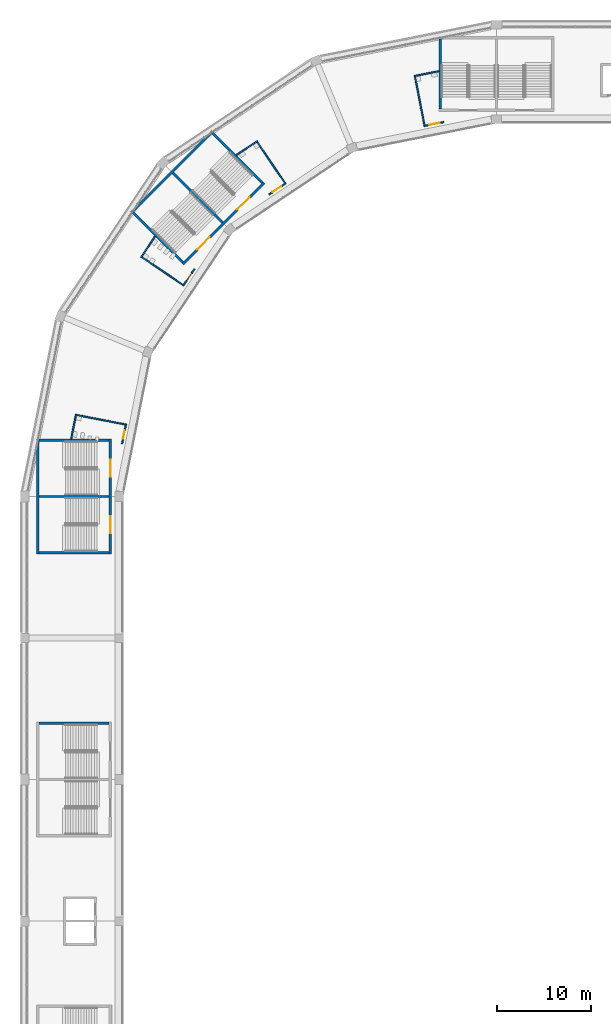
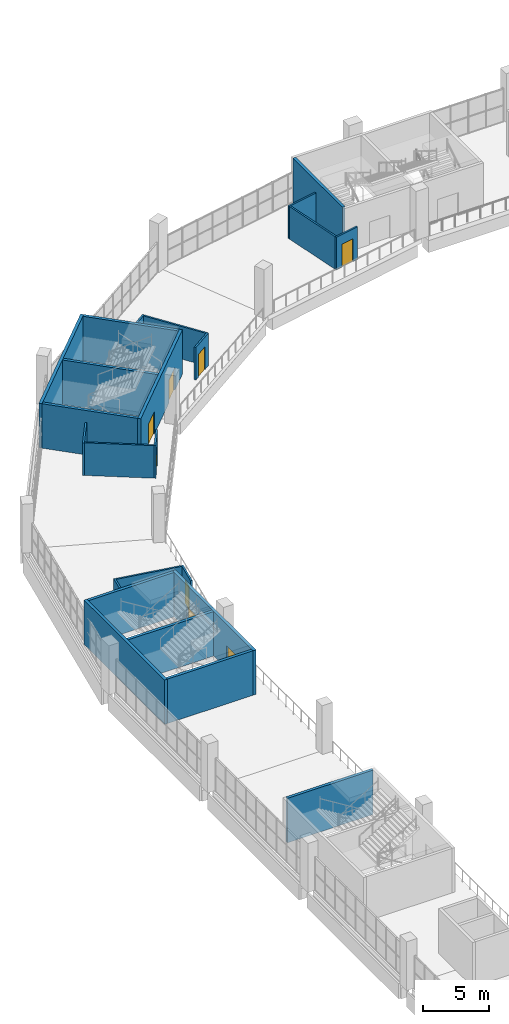
# One storey, part 66 of 177: 24 walls, 8 doors, 8 openings.
"""IFC4 building model written with IfcOpenShell, lengths in metres."""

from ifc_helpers import new_model, si_unit, direction, frame, frame_2d, origin, place, context, subcontext, project, spatial, rectangle, extrude, material, layer, layer_set, type_object, element, fill, save


model = new_model("IFC4")

# Units and contexts
model_context = context("Model", 3, precision=1e-05, world=origin(), true_north=direction((0.0, 1.0)))
body_context = subcontext(model_context, "Body", "Model", "MODEL_VIEW")
ifc_project = project(units=[si_unit("LENGTHUNIT", "METRE"), si_unit("AREAUNIT", "SQUARE_METRE"), si_unit("VOLUMEUNIT", "CUBIC_METRE"), si_unit("PLANEANGLEUNIT", "RADIAN"), si_unit("MASSUNIT", "GRAM", prefix="KILO")], contexts=[model_context])

# Site, building, storey
site_placement = place(None, origin())
site = spatial("IfcSite", under=ifc_project, at=site_placement, CompositionType="ELEMENT")
building_placement = place(site_placement, origin())
building = spatial("IfcBuilding", under=site, at=building_placement, Name="Ogive Plaza Stadium", CompositionType="ELEMENT")
storey_placement = place(building_placement, frame((0.0, 0.0, 18.0)))
storey = spatial("IfcBuildingStorey", under=building, at=storey_placement, Name="L04", CompositionType="ELEMENT", Elevation=18.0)

# Wall
ifc_material_1 = material(Name="Concrete C40/50", Category="concrete")
ifc_layer_1 = layer(ifc_material_1, 0.25)
ifc_layer_set_1 = layer_set([ifc_layer_1], Name="Concrete C40/50")
wall_type_1 = type_object("IfcWallType", Name="Core wall 250", PredefinedType="SHEAR", material=ifc_layer_set_1)
wall_1_placement = place(storey_placement, frame((-75.050048828125, 28.449951171875, 0.0), z_axis=(0.0, 0.0, 1.0), x_axis=(-1.0, 0.0, 0.0)))
element("IfcWall", 1, at=wall_1_placement, inside=storey, type_object=wall_type_1, Name="Stair core R26 side wall", PredefinedType="SHEAR", context=body_context, shape_type="SweptSolid", body=[
    extrude(rectangle(XDim=7.4599609375, YDim=0.25, at=frame_2d((3.72998046875, 0.0))), origin(), (0.0, 0.0, 1.0), 4.090087890625),
])

# Wall, openings, doors
wall_2_placement = place(storey_placement, frame((-74.925048828125, 58.574951171875, 0.0), z_axis=(0.0, 0.0, 1.0), x_axis=(0.0, -1.0, 0.0)))
wall_2 = element("IfcWall", 2, at=wall_2_placement, inside=storey, type_object=wall_type_1, Name="Stair core R28 inner wall", PredefinedType="SHEAR", context=body_context, shape_type="SweptSolid", body=[
    extrude(rectangle(XDim=12.14990234375, YDim=0.25, at=frame_2d((6.074951171875, 0.0))), origin(), (0.0, 0.0, 1.0), 4.090087890625),
])
opening_1_placement = place(wall_2_placement, frame((2.199951171875, 0.0, 0.0)))
opening_1 = element("IfcOpeningElement", 3, at=opening_1_placement, cuts=wall_2, Name="Opening D0217", PredefinedType="OPENING", context=body_context, shape_type="SweptSolid", body=[
    extrude(rectangle(XDim=1.800048828125, YDim=2.10009765625, at=frame_2d((0.89990234375, 1.050048828125))), frame((0.0, 0.125, 0.0), z_axis=(0.0, -1.0, 0.0), x_axis=(1.0, 0.0, 0.0)), (0.0, 0.0, 1.0), 0.25),
])
opening_2_placement = place(wall_2_placement, frame((8.14990234375, 0.0, 0.0)))
opening_2 = element("IfcOpeningElement", 4, at=opening_2_placement, cuts=wall_2, Name="Opening D0218", PredefinedType="OPENING", context=body_context, shape_type="SweptSolid", body=[
    extrude(rectangle(XDim=1.800048828125, YDim=2.10009765625, at=frame_2d((0.89990234375, 1.050048828125))), frame((0.0, 0.125, 0.0), z_axis=(0.0, -1.0, 0.0), x_axis=(1.0, 0.0, 0.0)), (0.0, 0.0, 1.0), 0.25),
])
ifc_material_2 = material(Name="Steel ASTM A572 Grade 50", Category="steel")
door_type_1 = type_object("IfcDoorType", Name="Fire door FD90 pair 1800 x 2100", OperationType="DOUBLE_DOOR_SINGLE_SWING", PredefinedType="DOOR", material=ifc_material_2)
door_1_placement = place(opening_1_placement, origin())
door_1 = element("IfcDoor", 5, at=door_1_placement, inside=storey, type_object=door_type_1, Name="Exit stair R28A door L04", OperationType="DOUBLE_DOOR_SINGLE_SWING", OverallHeight=2.10009765625, OverallWidth=1.800048828125, PredefinedType="DOOR", context=body_context, shape_type="SweptSolid", body=[
    extrude(rectangle(XDim=1.800048828125, YDim=2.10009765625, at=frame_2d((0.89990234375, 1.050048828125))), frame((0.0, 0.02490234375, 0.0), z_axis=(0.0, -1.0, 0.0), x_axis=(1.0, 0.0, 0.0)), (0.0, 0.0, 1.0), 0.050048828125),
])
fill(opening_1, door_1)
door_2_placement = place(opening_2_placement, origin())
door_2 = element("IfcDoor", 6, at=door_2_placement, inside=storey, type_object=door_type_1, Name="Exit stair R28B door L04", OperationType="DOUBLE_DOOR_SINGLE_SWING", OverallHeight=2.10009765625, OverallWidth=1.800048828125, PredefinedType="DOOR", context=body_context, shape_type="SweptSolid", body=[
    extrude(rectangle(XDim=1.800048828125, YDim=2.10009765625, at=frame_2d((0.89990234375, 1.050048828125))), frame((0.0, 0.02490234375, 0.0), z_axis=(0.0, -1.0, 0.0), x_axis=(1.0, 0.0, 0.0)), (0.0, 0.0, 1.0), 0.050048828125),
])
fill(opening_2, door_2)

# Walls
wall_3_placement = place(storey_placement, frame((-82.635009765625, 58.574951171875, 0.0), z_axis=(0.0, 0.0, 1.0), x_axis=(0.0, -1.0, 0.0)))
element("IfcWall", 7, at=wall_3_placement, inside=storey, type_object=wall_type_1, Name="Stair core R28 outer wall", PredefinedType="SHEAR", context=body_context, shape_type="SweptSolid", body=[
    extrude(rectangle(XDim=12.14990234375, YDim=0.25, at=frame_2d((6.074951171875, 0.0))), origin(), (0.0, 0.0, 1.0), 4.090087890625),
])
for number, where, z_axis, x_axis, name in (
    (8, (-75.050048828125, 58.449951171875, 0.0), (0.0, 0.0, 1.0), (-1.0, 0.0, 0.0), "Stair core R28 side wall"),
    (9, (-75.050048828125, 46.550048828125, 0.0), (0.0, 0.0, 1.0), (-1.0, 0.0, 0.0), "Stair core R28 side wall"),
    (10, (-75.050048828125, 52.5, 0.0), (0.0, 0.0, 1.0), (-1.0, 0.0, 0.0), "Stair core R28 centre wall"),
):
    element("IfcWall", number, at=place(storey_placement, frame(where, z_axis=z_axis, x_axis=x_axis)), inside=storey, type_object=wall_type_1, Name=name, PredefinedType="SHEAR", context=body_context, shape_type="SweptSolid", body=[
        extrude(rectangle(XDim=7.4599609375, YDim=0.25, at=frame_2d((3.72998046875, 0.0))), origin(), (0.0, 0.0, 1.0), 4.090087890625),
    ])

# Wall, openings, doors
wall_4_placement = place(storey_placement, frame((-58.642578125, 85.734130859375, 0.0), z_axis=(0.0, 0.0, 1.0), x_axis=(-0.707106781187, -0.707106781187, 0.0)))
wall_4 = element("IfcWall", 11, at=wall_4_placement, inside=storey, type_object=wall_type_1, Name="Stair core R30 inner wall", PredefinedType="SHEAR", context=body_context, shape_type="SweptSolid", body=[
    extrude(rectangle(XDim=12.150390625, YDim=0.25, at=frame_2d((6.0751953125, 0.0))), origin(), (0.0, 0.0, 1.0), 4.090087890625),
])
opening_3_placement = place(wall_4_placement, frame((2.199951171875, 0.0, 0.0)))
opening_3 = element("IfcOpeningElement", 12, at=opening_3_placement, cuts=wall_4, Name="Opening D0229", PredefinedType="OPENING", context=body_context, shape_type="SweptSolid", body=[
    extrude(rectangle(XDim=1.800048828125, YDim=2.10009765625, at=frame_2d((0.89990234375, 1.050048828125))), frame((0.0, 0.125, 0.0), z_axis=(0.0, -1.0, 0.0), x_axis=(1.0, 0.0, 0.0)), (0.0, 0.0, 1.0), 0.25),
])
opening_4_placement = place(wall_4_placement, frame((8.14990234375, 0.0, 0.0)))
opening_4 = element("IfcOpeningElement", 13, at=opening_4_placement, cuts=wall_4, Name="Opening D0230", PredefinedType="OPENING", context=body_context, shape_type="SweptSolid", body=[
    extrude(rectangle(XDim=1.800048828125, YDim=2.10009765625, at=frame_2d((0.89990234375, 1.050048828125))), frame((0.0, 0.125, 0.0), z_axis=(0.0, -1.0, 0.0), x_axis=(1.0, 0.0, 0.0)), (0.0, 0.0, 1.0), 0.25),
])
door_3_placement = place(opening_3_placement, origin())
door_3 = element("IfcDoor", 14, at=door_3_placement, inside=storey, type_object=door_type_1, Name="Exit stair R30A door L04", OperationType="DOUBLE_DOOR_SINGLE_SWING", OverallHeight=2.10009765625, OverallWidth=1.800048828125, PredefinedType="DOOR", context=body_context, shape_type="SweptSolid", body=[
    extrude(rectangle(XDim=1.800048828125, YDim=2.10009765625, at=frame_2d((0.89990234375, 1.050048828125))), frame((0.0, 0.02490234375, 0.0), z_axis=(0.0, -1.0, 0.0), x_axis=(1.0, 0.0, 0.0)), (0.0, 0.0, 1.0), 0.050048828125),
])
fill(opening_3, door_3)
door_4_placement = place(opening_4_placement, origin())
door_4 = element("IfcDoor", 15, at=door_4_placement, inside=storey, type_object=door_type_1, Name="Exit stair R30B door L04", OperationType="DOUBLE_DOOR_SINGLE_SWING", OverallHeight=2.10009765625, OverallWidth=1.800048828125, PredefinedType="DOOR", context=body_context, shape_type="SweptSolid", body=[
    extrude(rectangle(XDim=1.800048828125, YDim=2.10009765625, at=frame_2d((0.89990234375, 1.050048828125))), frame((0.0, 0.02490234375, 0.0), z_axis=(0.0, -1.0, 0.0), x_axis=(1.0, 0.0, 0.0)), (0.0, 0.0, 1.0), 0.050048828125),
])
fill(opening_4, door_4)

# Walls
wall_5_placement = place(storey_placement, frame((-64.094482421875, 91.185791015625, 0.0), z_axis=(0.0, 0.0, 1.0), x_axis=(-0.707106781187, -0.707106781187, 0.0)))
element("IfcWall", 16, at=wall_5_placement, inside=storey, type_object=wall_type_1, Name="Stair core R30 outer wall", PredefinedType="SHEAR", context=body_context, shape_type="SweptSolid", body=[
    extrude(rectangle(XDim=12.14990234375, YDim=0.25, at=frame_2d((6.074951171875, 0.0))), origin(), (0.0, 0.0, 1.0), 4.090087890625),
])
for number, where, z_axis, x_axis, name in (
    (17, (-58.8193359375, 85.734130859375, 0.0), (0.0, 0.0, 1.0), (-0.707123144286, 0.707090417709, 0.0), "Stair core R30 side wall"),
    (18, (-67.234130859375, 77.3193359375, 0.0), (0.0, 0.0, 1.0), (-0.707090417709, 0.707123144286, 0.0), "Stair core R30 side wall"),
):
    element("IfcWall", number, at=place(storey_placement, frame(where, z_axis=z_axis, x_axis=x_axis)), inside=storey, type_object=wall_type_1, Name=name, PredefinedType="SHEAR", context=body_context, shape_type="SweptSolid", body=[
        extrude(rectangle(XDim=7.4599609375, YDim=0.25, at=frame_2d((3.72998046875, 0.0))), origin(), (0.0, 0.0, 1.0), 4.090087890625),
    ])
wall_6_placement = place(storey_placement, frame((-63.026611328125, 81.526611328125, 0.0), z_axis=(0.0, 0.0, 1.0), x_axis=(-0.707106781187, 0.707106781187, 0.0)))
element("IfcWall", 19, at=wall_6_placement, inside=storey, type_object=wall_type_1, Name="Stair core R30 centre wall", PredefinedType="SHEAR", context=body_context, shape_type="SweptSolid", body=[
    extrude(rectangle(XDim=7.460205078125, YDim=0.25, at=frame_2d((3.72998046875, 0.0))), origin(), (0.0, 0.0, 1.0), 4.090087890625),
])
wall_7_placement = place(storey_placement, frame((-39.949951171875, 93.550048828125, 0.0), z_axis=(0.0, 0.0, 1.0), x_axis=(0.0, 1.0, 0.0)))
element("IfcWall", 20, at=wall_7_placement, inside=storey, type_object=wall_type_1, Name="Stair core R32 side wall", PredefinedType="SHEAR", context=body_context, shape_type="SweptSolid", body=[
    extrude(rectangle(XDim=7.4599609375, YDim=0.25, at=frame_2d((3.72998046875, 0.0))), origin(), (0.0, 0.0, 1.0), 4.090087890625),
])

# Wall, opening, door
ifc_material_3 = material(Name="Gypsum board partition", Category="gypsum")
ifc_layer_2 = layer(ifc_material_3, 0.14990234375)
ifc_layer_set_2 = layer_set([ifc_layer_2], Name="Partition 150")
wall_type_2 = type_object("IfcWallType", Name="Partition 150", PredefinedType="PARTITIONING", material=ifc_layer_set_2)
wall_8_placement = place(storey_placement, frame((-73.689697265625, 58.08203125, 0.0), z_axis=(0.0, 0.0, 1.0), x_axis=(0.195134256702, 0.980776540228, 0.0)))
wall_8 = element("IfcWall", 21, at=wall_8_placement, inside=storey, type_object=wall_type_2, Name="Wall L04 B28", PredefinedType="PARTITIONING", context=body_context, shape_type="SweptSolid", body=[
    extrude(rectangle(XDim=2.15185546875, YDim=0.14990234375, at=frame_2d((1.075927734375, 0.0))), origin(), (0.0, 0.0, 1.0), 3.0),
])
opening_5_placement = place(wall_8_placement, frame((0.5556640625, 0.0, 0.0)))
opening_5 = element("IfcOpeningElement", 22, at=opening_5_placement, cuts=wall_8, Name="Opening D0909", PredefinedType="OPENING", context=body_context, shape_type="SweptSolid", body=[
    extrude(rectangle(XDim=0.89990234375, YDim=2.10009765625, at=frame_2d((0.449951171875, 1.050048828125))), frame((0.0, 0.074951171875, 0.0), z_axis=(0.0, -1.0, 0.0), x_axis=(1.0, 0.0, 0.0)), (0.0, 0.0, 1.0), 0.14990234375),
])
ifc_material_4 = material(Name="Steel ASTM A572 Grade 50", Category="steel")
door_type_2 = type_object("IfcDoorType", Name="Door 900 x 2100", OperationType="SINGLE_SWING_LEFT", PredefinedType="DOOR", material=ifc_material_4)
door_5_placement = place(opening_5_placement, origin())
door_5 = element("IfcDoor", 23, at=door_5_placement, inside=storey, type_object=door_type_2, Name="Men's Toilet B28 door", OperationType="SINGLE_SWING_LEFT", OverallHeight=2.10009765625, OverallWidth=0.89990234375, PredefinedType="DOOR", context=body_context, shape_type="SweptSolid", body=[
    extrude(rectangle(XDim=0.89990234375, YDim=2.10009765625, at=frame_2d((0.449951171875, 1.050048828125))), frame((0.0, 0.02490234375, 0.0), z_axis=(0.0, -1.0, 0.0), x_axis=(1.0, 0.0, 0.0)), (0.0, 0.0, 1.0), 0.050048828125),
])
fill(opening_5, door_5)

# Walls
wall_9_placement = place(storey_placement, frame((-79.091552734375, 58.574951171875, 0.0), z_axis=(0.0, 0.0, 1.0), x_axis=(0.195109917251, 0.980781382465, 0.0)))
element("IfcWall", 24, at=wall_9_placement, inside=storey, type_object=wall_type_2, Name="Wall L04 B28", PredefinedType="PARTITIONING", context=body_context, shape_type="SweptSolid", body=[
    extrude(rectangle(XDim=2.70654296875, YDim=0.14990234375, at=frame_2d((1.353271484375, 0.0))), origin(), (0.0, 0.0, 1.0), 3.0),
])
wall_10_placement = place(storey_placement, frame((-73.355712890625, 60.1376953125, 0.0), z_axis=(0.0, 0.0, 1.0), x_axis=(-0.981681437742, 0.190529669063, 0.0)))
element("IfcWall", 25, at=wall_10_placement, inside=storey, type_object=wall_type_2, Name="Wall L04 B28", PredefinedType="PARTITIONING", context=body_context, shape_type="SweptSolid", body=[
    extrude(rectangle(XDim=5.247314453125, YDim=0.14990234375, at=frame_2d((2.62353515625, 0.0))), origin(), (0.0, 0.0, 1.0), 3.0),
])

# Wall, opening, door
wall_11_placement = place(storey_placement, frame((-66.011962890625, 76.61767578125, 0.0), z_axis=(0.0, 0.0, 1.0), x_axis=(-0.555616271849, -0.831438848297, 0.0)))
wall_11 = element("IfcWall", 26, at=wall_11_placement, inside=storey, type_object=wall_type_2, Name="Wall L04 B29", PredefinedType="PARTITIONING", context=body_context, shape_type="SweptSolid", body=[
    extrude(rectangle(XDim=2.15185546875, YDim=0.14990234375, at=frame_2d((1.075927734375, 0.0))), origin(), (0.0, 0.0, 1.0), 3.0),
])
opening_6_placement = place(wall_11_placement, frame((0.5556640625, 0.0, 0.0)))
opening_6 = element("IfcOpeningElement", 27, at=opening_6_placement, cuts=wall_11, Name="Opening D0910", PredefinedType="OPENING", context=body_context, shape_type="SweptSolid", body=[
    extrude(rectangle(XDim=0.89990234375, YDim=2.10009765625, at=frame_2d((0.449951171875, 1.050048828125))), frame((0.0, 0.074951171875, 0.0), z_axis=(0.0, -1.0, 0.0), x_axis=(1.0, 0.0, 0.0)), (0.0, 0.0, 1.0), 0.14990234375),
])
door_6_placement = place(opening_6_placement, origin())
door_6 = element("IfcDoor", 28, at=door_6_placement, inside=storey, type_object=door_type_2, Name="Women's Toilet B29 door", OperationType="SINGLE_SWING_LEFT", OverallHeight=2.10009765625, OverallWidth=0.89990234375, PredefinedType="DOOR", context=body_context, shape_type="SweptSolid", body=[
    extrude(rectangle(XDim=0.89990234375, YDim=2.10009765625, at=frame_2d((0.449951171875, 1.050048828125))), frame((0.0, 0.02490234375, 0.0), z_axis=(0.0, -1.0, 0.0), x_axis=(1.0, 0.0, 0.0)), (0.0, 0.0, 1.0), 0.050048828125),
])
fill(opening_6, door_6)

# Walls
wall_12_placement = place(storey_placement, frame((-70.18017578125, 80.0888671875, 0.0), z_axis=(0.0, 0.0, 1.0), x_axis=(-0.555553352943, -0.831480890961, 0.0)))
element("IfcWall", 29, at=wall_12_placement, inside=storey, type_object=wall_type_2, Name="Wall L04 B29", PredefinedType="PARTITIONING", context=body_context, shape_type="SweptSolid", body=[
    extrude(rectangle(XDim=2.70654296875, YDim=0.14990234375, at=frame_2d((1.353271484375, 0.0))), origin(), (0.0, 0.0, 1.0), 3.0),
])
wall_13_placement = place(storey_placement, frame((-67.2294921875, 74.927978515625, 0.0), z_axis=(0.0, 0.0, 1.0), x_axis=(-0.8288583832, 0.559458470843, 0.0)))
element("IfcWall", 30, at=wall_13_placement, inside=storey, type_object=wall_type_2, Name="Wall L04 B29", PredefinedType="PARTITIONING", context=body_context, shape_type="SweptSolid", body=[
    extrude(rectangle(XDim=5.2470703125, YDim=0.14990234375, at=frame_2d((2.62353515625, 0.0))), origin(), (0.0, 0.0, 1.0), 3.0),
])

# Wall, opening, door
wall_14_placement = place(storey_placement, frame((-58.11767578125, 84.511962890625, 0.0), z_axis=(0.0, 0.0, 1.0), x_axis=(0.831438848297, 0.555616271849, 0.0)))
wall_14 = element("IfcWall", 31, at=wall_14_placement, inside=storey, type_object=wall_type_2, Name="Wall L04 B30", PredefinedType="PARTITIONING", context=body_context, shape_type="SweptSolid", body=[
    extrude(rectangle(XDim=2.15185546875, YDim=0.14990234375, at=frame_2d((1.075927734375, 0.0))), origin(), (0.0, 0.0, 1.0), 3.0),
])
opening_7_placement = place(wall_14_placement, frame((0.45556640625, 0.0, 0.0)))
opening_7 = element("IfcOpeningElement", 32, at=opening_7_placement, cuts=wall_14, Name="Opening D0911", PredefinedType="OPENING", context=body_context, shape_type="SweptSolid", body=[
    extrude(rectangle(XDim=1.10009765625, YDim=2.10009765625, at=frame_2d((0.550048828125, 1.050048828125))), frame((0.0, 0.074951171875, 0.0), z_axis=(0.0, -1.0, 0.0), x_axis=(1.0, 0.0, 0.0)), (0.0, 0.0, 1.0), 0.14990234375),
])
ifc_material_5 = material(Name="Steel ASTM A572 Grade 50", Category="steel")
door_type_3 = type_object("IfcDoorType", Name="Accessible door 1100 x 2100", OperationType="SINGLE_SWING_LEFT", PredefinedType="DOOR", material=ifc_material_5)
door_7_placement = place(opening_7_placement, origin())
door_7 = element("IfcDoor", 33, at=door_7_placement, inside=storey, type_object=door_type_3, Name="Accessible WC B30 door", OperationType="SINGLE_SWING_LEFT", OverallHeight=2.10009765625, OverallWidth=1.10009765625, PredefinedType="DOOR", context=body_context, shape_type="SweptSolid", body=[
    extrude(rectangle(XDim=1.10009765625, YDim=2.10009765625, at=frame_2d((0.550048828125, 1.050048828125))), frame((0.0, 0.02490234375, 0.0), z_axis=(0.0, -1.0, 0.0), x_axis=(1.0, 0.0, 0.0)), (0.0, 0.0, 1.0), 0.050048828125),
])
fill(opening_7, door_7)

# Walls
wall_15_placement = place(storey_placement, frame((-61.5888671875, 88.68017578125, 0.0), z_axis=(0.0, 0.0, 1.0), x_axis=(0.831480890961, 0.555553352943, 0.0)))
element("IfcWall", 34, at=wall_15_placement, inside=storey, type_object=wall_type_2, Name="Wall L04 B30", PredefinedType="PARTITIONING", context=body_context, shape_type="SweptSolid", body=[
    extrude(rectangle(XDim=2.70654296875, YDim=0.14990234375, at=frame_2d((1.353271484375, 0.0))), origin(), (0.0, 0.0, 1.0), 3.0),
])
wall_16_placement = place(storey_placement, frame((-56.427978515625, 85.7294921875, 0.0), z_axis=(0.0, 0.0, 1.0), x_axis=(-0.559458470843, 0.8288583832, 0.0)))
element("IfcWall", 35, at=wall_16_placement, inside=storey, type_object=wall_type_2, Name="Wall L04 B30", PredefinedType="PARTITIONING", context=body_context, shape_type="SweptSolid", body=[
    extrude(rectangle(XDim=5.2470703125, YDim=0.14990234375, at=frame_2d((2.62353515625, 0.0))), origin(), (0.0, 0.0, 1.0), 3.0),
])

# Wall, opening, door
wall_17_placement = place(storey_placement, frame((-39.58203125, 92.189697265625, 0.0), z_axis=(0.0, 0.0, 1.0), x_axis=(-0.980776540228, -0.195134256702, 0.0)))
wall_17 = element("IfcWall", 36, at=wall_17_placement, inside=storey, type_object=wall_type_2, Name="Wall L04 B31", PredefinedType="PARTITIONING", context=body_context, shape_type="SweptSolid", body=[
    extrude(rectangle(XDim=2.15185546875, YDim=0.14990234375, at=frame_2d((1.075927734375, 0.0))), origin(), (0.0, 0.0, 1.0), 3.0),
])
opening_8_placement = place(wall_17_placement, frame((0.45556640625, 0.0, 0.0)))
opening_8 = element("IfcOpeningElement", 37, at=opening_8_placement, cuts=wall_17, Name="Opening D0912", PredefinedType="OPENING", context=body_context, shape_type="SweptSolid", body=[
    extrude(rectangle(XDim=1.10009765625, YDim=2.10009765625, at=frame_2d((0.550048828125, 1.050048828125))), frame((0.0, 0.074951171875, 0.0), z_axis=(0.0, -1.0, 0.0), x_axis=(1.0, 0.0, 0.0)), (0.0, 0.0, 1.0), 0.14990234375),
])
door_8_placement = place(opening_8_placement, origin())
door_8 = element("IfcDoor", 38, at=door_8_placement, inside=storey, type_object=door_type_3, Name="Family WC B31 door", OperationType="SINGLE_SWING_LEFT", OverallHeight=2.10009765625, OverallWidth=1.10009765625, PredefinedType="DOOR", context=body_context, shape_type="SweptSolid", body=[
    extrude(rectangle(XDim=1.10009765625, YDim=2.10009765625, at=frame_2d((0.550048828125, 1.050048828125))), frame((0.0, 0.02490234375, 0.0), z_axis=(0.0, -1.0, 0.0), x_axis=(1.0, 0.0, 0.0)), (0.0, 0.0, 1.0), 0.050048828125),
])
fill(opening_8, door_8)

# Walls
wall_18_placement = place(storey_placement, frame((-40.074951171875, 97.591552734375, 0.0), z_axis=(0.0, 0.0, 1.0), x_axis=(-0.980781382465, -0.195109917251, 0.0)))
element("IfcWall", 39, at=wall_18_placement, inside=storey, type_object=wall_type_2, Name="Wall L04 B31", PredefinedType="PARTITIONING", context=body_context, shape_type="SweptSolid", body=[
    extrude(rectangle(XDim=2.70654296875, YDim=0.14990234375, at=frame_2d((1.353271484375, 0.0))), origin(), (0.0, 0.0, 1.0), 3.0),
])
wall_19_placement = place(storey_placement, frame((-41.6376953125, 91.855712890625, 0.0), z_axis=(0.0, 0.0, 1.0), x_axis=(-0.190529669063, 0.981681437742, 0.0)))
element("IfcWall", 40, at=wall_19_placement, inside=storey, type_object=wall_type_2, Name="Wall L04 B31", PredefinedType="PARTITIONING", context=body_context, shape_type="SweptSolid", body=[
    extrude(rectangle(XDim=5.247314453125, YDim=0.14990234375, at=frame_2d((2.62353515625, 0.0))), origin(), (0.0, 0.0, 1.0), 3.0),
])

save(model, "model.ifc")
